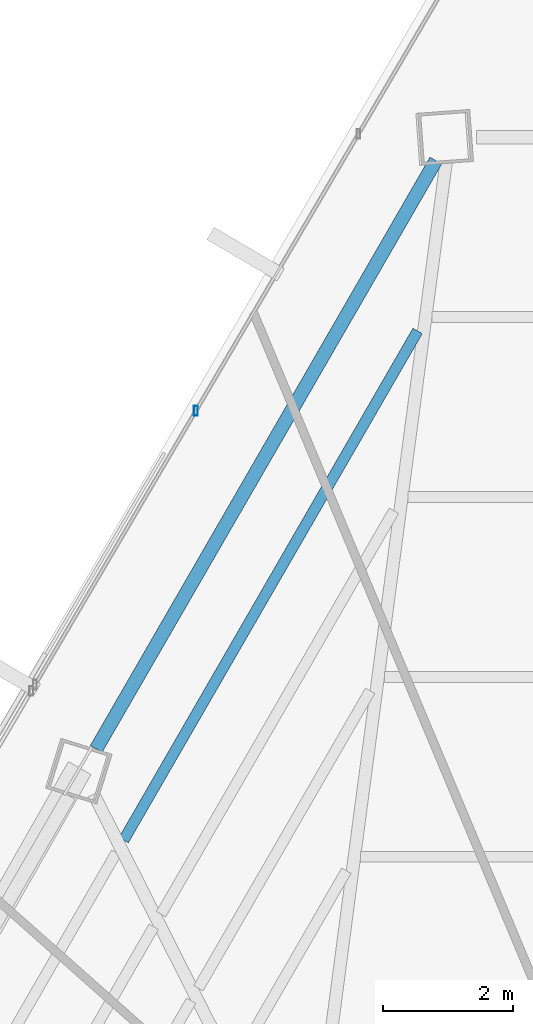
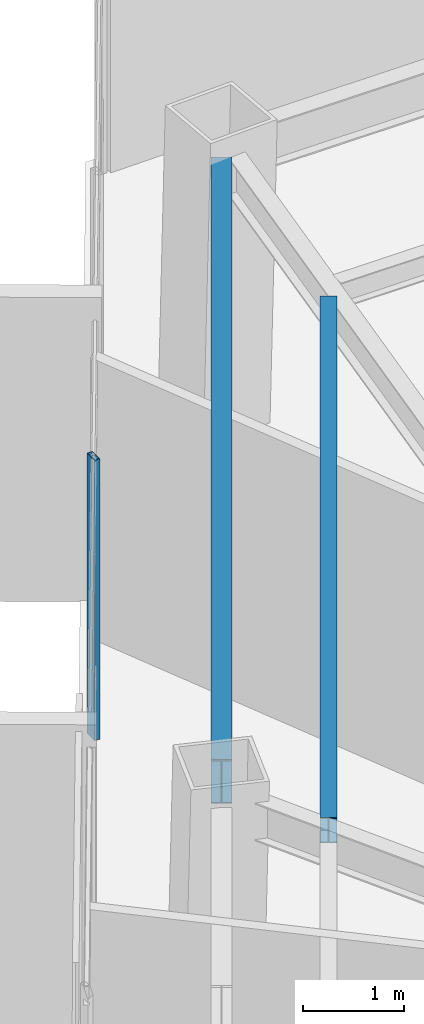
# One storey, part 27 of 42: 2 beams, 1 member, 1 element without a shape of its own.
"""IFC4 building model written with IfcOpenShell, lengths in metres."""

from ifc_helpers import new_model, si_unit, direction, frame, origin, origin_2d, place, context, subcontext, project, spatial, hollow_rectangle, i_section, extrude, source, transform, mapped, material, material_profile, profile_set, type_object, type_shapes, element, aggregate, save


model = new_model("IFC4")

# Units and contexts
model_context = context("Model", 3, precision=1e-05, world=origin(), true_north=direction((0.0, 1.0)))
body_context = subcontext(model_context, "Body", "Model", "MODEL_VIEW")
ifc_project = project(units=[si_unit("LENGTHUNIT", "METRE"), si_unit("AREAUNIT", "SQUARE_METRE"), si_unit("VOLUMEUNIT", "CUBIC_METRE"), si_unit("PLANEANGLEUNIT", "RADIAN"), si_unit("MASSUNIT", "GRAM", prefix="KILO")], contexts=[model_context])

# Site, building, storey
site_placement = place(None, origin())
site = spatial("IfcSite", under=ifc_project, at=site_placement, CompositionType="ELEMENT")
building_placement = place(site_placement, origin())
building = spatial("IfcBuilding", under=site, at=building_placement, Name="Caelisora Broadcast Tower", CompositionType="ELEMENT")
storey_placement = place(building_placement, frame((0.0, 0.0, 191.35009765625)))
storey = spatial("IfcBuildingStorey", under=building, at=storey_placement, Name="L50", CompositionType="ELEMENT", Elevation=191.35009765625)

# Beams
ifc_material_1 = material(Name="Steel Grade 350 (AS/NZS 3679.1)", Category="steel")
ifc_material_profile_1 = material_profile(ifc_material_1, i_section(OverallWidth=0.208984375, OverallDepth=0.532958984375, WebThickness=0.01025390625, FlangeThickness=0.015625, at=origin_2d()), Name="Steel Grade 350 (AS/NZS 3679.1)")
ifc_profile_set_1 = profile_set([ifc_material_profile_1], Name="Steel Grade 350 (AS/NZS 3679.1)")
beam_type_1 = type_object("IfcBeamType", Name="PG05", PredefinedType="BEAM", material=ifc_profile_set_1)
shared_shape_1 = source(origin(), body_context, "Body", "SweptSolid", [
    extrude(i_section(OverallWidth=0.208984375, OverallDepth=0.532958984375, WebThickness=0.01025390625, FlangeThickness=0.015625, at=origin_2d()), origin(), (0.0, 0.0, 1.0), 10.42578125),
])
type_shapes(beam_type_1, [shared_shape_1])
beam_1_placement = place(storey_placement, frame((32.479248046875, 46.206298828125, 3.13330078125), z_axis=(-0.499997453315, -0.866026874108, 0.0), x_axis=(0.866026874108, -0.499997453315, 0.0)))
element("IfcBeam", 1, at=beam_1_placement, inside=storey, type_object=beam_type_1, Name="L50 beam PG05", PredefinedType="BEAM", context=body_context, shape_type="MappedRepresentation", body=[
    mapped(shared_shape_1, transform((0.0, 0.0, 0.0), scale=1.0)),
])
ifc_material_profile_2 = material_profile(ifc_material_1, i_section(OverallWidth=0.166015625, OverallDepth=0.30712890625, WebThickness=0.006591796875, FlangeThickness=0.01171875, at=origin_2d()), Name="Steel Grade 350 (AS/NZS 3679.1)")
ifc_profile_set_2 = profile_set([ifc_material_profile_2], Name="Steel Grade 350 (AS/NZS 3679.1)")
beam_type_2 = type_object("IfcBeamType", Name="SB03", PredefinedType="JOIST", material=ifc_profile_set_2)
shared_shape_2 = source(origin(), body_context, "Body", "SweptSolid", [
    extrude(i_section(OverallWidth=0.166015625, OverallDepth=0.30712890625, WebThickness=0.006591796875, FlangeThickness=0.01171875, at=origin_2d()), origin(), (0.0, 0.0, 1.0), 9.023681640625),
])
type_shapes(beam_type_2, [shared_shape_2])
beam_2_placement = place(storey_placement, frame((32.19921875, 43.591796875, 3.246337890625), z_axis=(-0.499991786507, -0.866030145795, 0.0), x_axis=(0.866030145795, -0.499991786507, 0.0)))
element("IfcBeam", 2, at=beam_2_placement, inside=storey, type_object=beam_type_2, Name="L50 beam SB03", PredefinedType="JOIST", context=body_context, shape_type="MappedRepresentation", body=[
    mapped(shared_shape_2, transform((0.0, 0.0, 0.0), scale=1.0)),
])

# Curtain wall, member
ifc_material_2 = material(Name="Unitised Aluminium and Low-E Glass Curtain Wall", Category="glass")
curtain_wall_type = type_object("IfcCurtainWallType", Name="CW-Z4", PredefinedType="NOTDEFINED", material=ifc_material_2)
curtain_wall_placement = place(storey_placement, origin())
curtain_wall = element("IfcCurtainWall", 3, at=curtain_wall_placement, inside=storey, type_object=curtain_wall_type, Name="L50 curtain wall CW-Z4", PredefinedType="NOTDEFINED")
ifc_material_3 = material(Name="Aluminium 6063-T6 Anodised Terracotta Bronze", Category="aluminium")
ifc_material_profile_3 = material_profile(ifc_material_3, hollow_rectangle(XDim=0.06005859375, YDim=0.14990234375, WallThickness=0.00341796875, at=origin_2d()), Name="Aluminium 6063-T6 Anodised Terracotta Bronze")
ifc_profile_set_3 = profile_set([ifc_material_profile_3], Name="Aluminium 6063-T6 Anodised Terracotta Bronze")
member_type = type_object("IfcMemberType", Name="CWM-03", PredefinedType="MULLION", material=ifc_profile_set_3)
shared_shape_3 = source(origin(), body_context, "Body", "SweptSolid", [
    extrude(hollow_rectangle(XDim=0.06005859375, YDim=0.14990234375, WallThickness=0.00341796875, at=origin_2d()), origin(), (0.0, 0.0, 1.0), 3.39990234375),
])
type_shapes(member_type, [shared_shape_3])
member_placement = place(storey_placement, frame((28.796630859375, 42.365478515625, 0.0), z_axis=(0.0, 0.0, 1.0), x_axis=(1.0, 0.0, 0.0)))
member = element("IfcMember", 4, at=member_placement, type_object=member_type, Name="L50-CW-B11 mullion #1", PredefinedType="MULLION", context=body_context, shape_type="MappedRepresentation", body=[
    mapped(shared_shape_3, transform((0.0, 0.0, 0.0), scale=1.0)),
])
aggregate(curtain_wall, [member])

save(model, "model.ifc")
